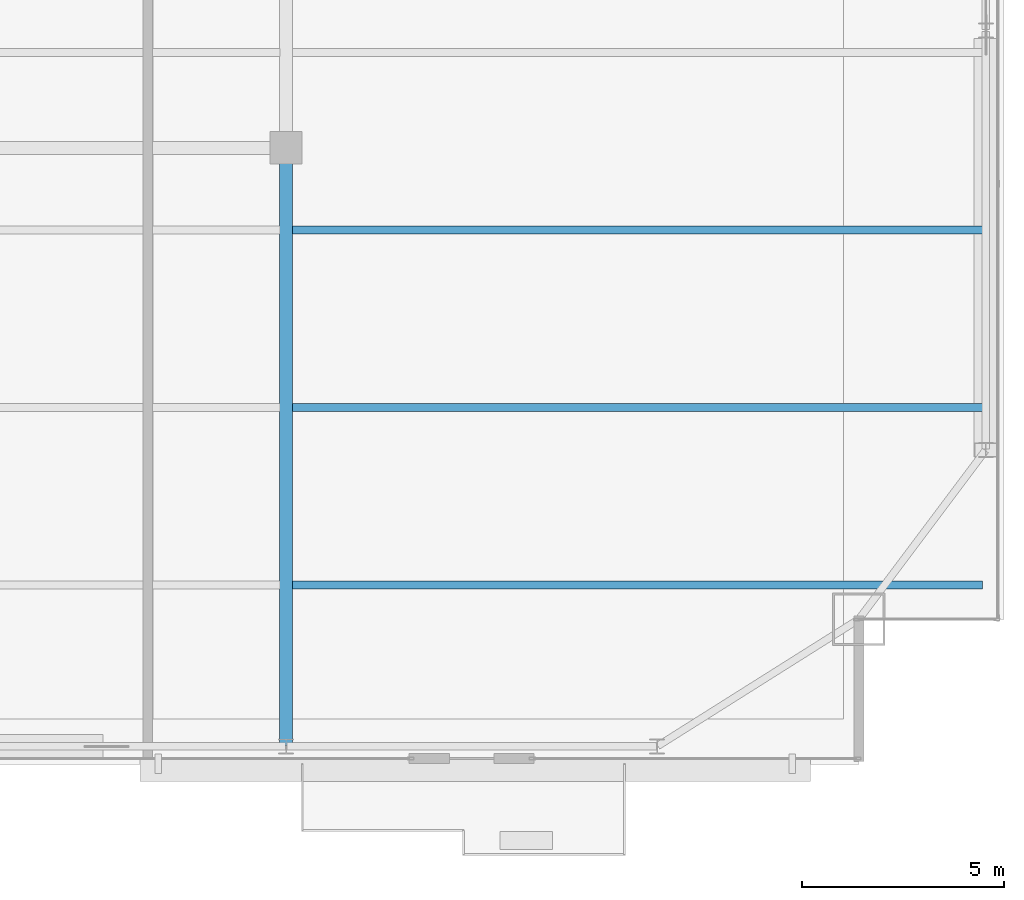
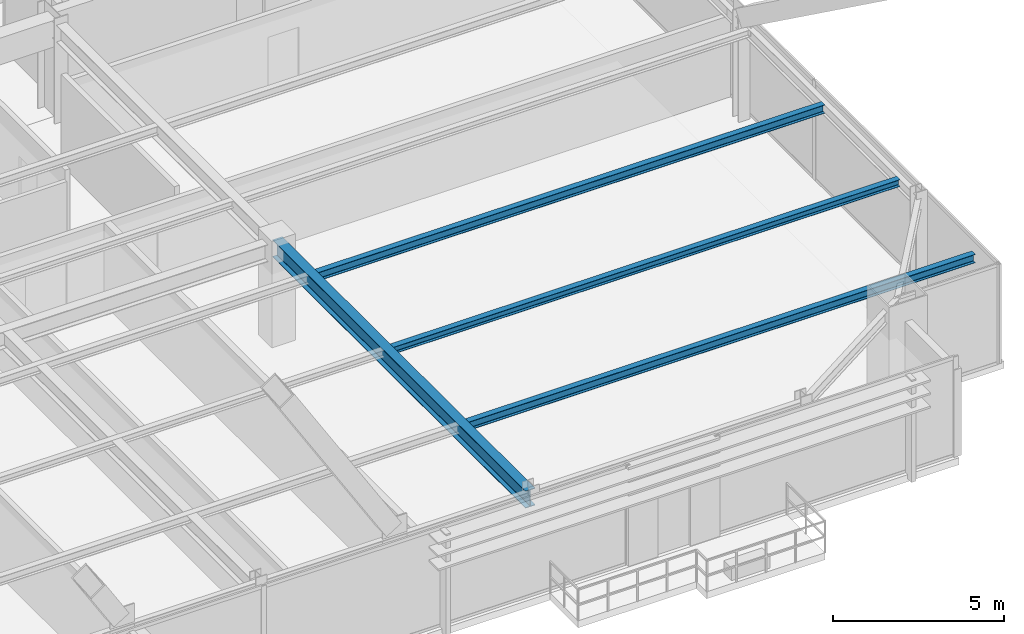
# One storey, part 15 of 32: 4 beams.
"""IFC4 building model written with IfcOpenShell, lengths in metres."""

from ifc_helpers import new_model, si_unit, direction, frame, origin, origin_2d, place, context, subcontext, project, spatial, i_section, extrude, source, transform, mapped, material, material_profile, profile_set, type_object, type_shapes, element, save


model = new_model("IFC4")

# Units and contexts
model_context = context("Model", 3, precision=1e-05, world=origin(), true_north=direction((0.0, 1.0)))
body_context = subcontext(model_context, "Body", "Model", "MODEL_VIEW")
ifc_project = project(units=[si_unit("LENGTHUNIT", "METRE"), si_unit("AREAUNIT", "SQUARE_METRE"), si_unit("VOLUMEUNIT", "CUBIC_METRE"), si_unit("PLANEANGLEUNIT", "RADIAN"), si_unit("MASSUNIT", "GRAM", prefix="KILO")], contexts=[model_context])

# Site, building, storey
site_placement = place(None, origin())
site = spatial("IfcSite", under=ifc_project, at=site_placement, CompositionType="ELEMENT")
building_placement = place(site_placement, origin())
building = spatial("IfcBuilding", under=site, at=building_placement, Name="Varnel Quay Broadcast Tower", CompositionType="ELEMENT")
storey_placement = place(building_placement, frame((0.0, 0.0, 164.800048828125)))
storey = spatial("IfcBuildingStorey", under=building, at=storey_placement, Name="L40", CompositionType="ELEMENT", Elevation=164.800048828125)

# Beams
ifc_material = material(Name="Structural Steel CSA G40.21 350W", Category="steel")
ifc_material_profile_1 = material_profile(ifc_material, i_section(OverallWidth=0.324951171875, OverallDepth=0.615966796875, WebThickness=0.013916015625, FlangeThickness=0.021484375, FilletRadius=0.01611328125, at=origin_2d()), Name="W610X174")
ifc_profile_set_1 = profile_set([ifc_material_profile_1], Name="Structural Steel CSA G40.21 350W")
beam_type_1 = type_object("IfcBeamType", Name="Girder_W610X174", PredefinedType="BEAM", material=ifc_profile_set_1)
shared_shape_1 = source(origin(), body_context, "Body", "SweptSolid", [
    extrude(i_section(OverallWidth=0.324951171875, OverallDepth=0.615966796875, WebThickness=0.013916015625, FlangeThickness=0.021484375, FilletRadius=0.01611328125, at=origin_2d()), origin(), (0.0, 0.0, 1.0), 14.800048828125),
])
type_shapes(beam_type_1, [shared_shape_1])
beam_1_placement = place(storey_placement, frame((43.199951171875, 7.669921875, 3.241943359375), z_axis=(0.0, 1.0, 0.0), x_axis=(-1.0, 0.0, 0.0)))
element("IfcBeam", 1, at=beam_1_placement, inside=storey, type_object=beam_type_1, Name="L40 Primary Girder TC-S4-IC-02", PredefinedType="BEAM", context=body_context, shape_type="MappedRepresentation", body=[
    mapped(shared_shape_1, transform((0.0, 0.0, 0.0), x_axis=(1.0, 0.0, 0.0), y_axis=(0.0, 1.0, 0.0), z_axis=(0.0, 0.0, 1.0), scale=1.0)),
])
ifc_material_profile_2 = material_profile(ifc_material, i_section(OverallWidth=0.202880859375, OverallDepth=0.302978515625, WebThickness=0.007568359375, FlangeThickness=0.01318359375, FilletRadius=0.011962890625, at=origin_2d()), Name="W310X60")
ifc_profile_set_2 = profile_set([ifc_material_profile_2], Name="Structural Steel CSA G40.21 350W")
beam_type_2 = type_object("IfcBeamType", Name="Beam_W310X60", PredefinedType="JOIST", material=ifc_profile_set_2)
shared_shape_2 = source(origin(), body_context, "Body", "SweptSolid", [
    extrude(i_section(OverallWidth=0.202880859375, OverallDepth=0.302978515625, WebThickness=0.007568359375, FlangeThickness=0.01318359375, FilletRadius=0.011962890625, at=origin_2d()), origin(), (0.0, 0.0, 1.0), 17.107177734375),
])
type_shapes(beam_type_2, [shared_shape_2])
for number, where, z_axis, x_axis, name in (
    (2, (43.357421875, 11.64990234375, 3.3984375), (1.0, 0.0, 0.0), (0.0, 1.0, 0.0), "L40 East Floor Joist 1"),
    (3, (43.357421875, 20.449951171875, 3.3984375), (1.0, 0.0, 0.0), (0.0, 1.0, 0.0), "L40 East Floor Joist 3"),
):
    element("IfcBeam", number, at=place(storey_placement, frame(where, z_axis=z_axis, x_axis=x_axis)), inside=storey, type_object=beam_type_2, Name=name, PredefinedType="JOIST", context=body_context, shape_type="MappedRepresentation", body=[
        mapped(shared_shape_2, transform((0.0, 0.0, 0.0), x_axis=(1.0, 0.0, 0.0), y_axis=(0.0, 1.0, 0.0), z_axis=(0.0, 0.0, 1.0), scale=1.0)),
    ])
ifc_material_profile_3 = material_profile(ifc_material, i_section(OverallWidth=0.201904296875, OverallDepth=0.2470703125, WebThickness=0.00732421875, FlangeThickness=0.010986328125, FilletRadius=0.010986328125, at=origin_2d()), Name="W250X49")
ifc_profile_set_3 = profile_set([ifc_material_profile_3], Name="Structural Steel CSA G40.21 350W")
beam_type_3 = type_object("IfcBeamType", Name="Beam_W250X49", PredefinedType="JOIST", material=ifc_profile_set_3)
shared_shape_3 = source(origin(), body_context, "Body", "SweptSolid", [
    extrude(i_section(OverallWidth=0.201904296875, OverallDepth=0.2470703125, WebThickness=0.00732421875, FlangeThickness=0.010986328125, FilletRadius=0.010986328125, at=origin_2d()), origin(), (0.0, 0.0, 1.0), 17.107177734375),
])
type_shapes(beam_type_3, [shared_shape_3])
beam_2_placement = place(storey_placement, frame((43.357421875, 16.050048828125, 3.426513671875), z_axis=(1.0, 0.0, 0.0), x_axis=(0.0, 1.0, 0.0)))
element("IfcBeam", 4, at=beam_2_placement, inside=storey, type_object=beam_type_3, Name="L40 East Floor Joist 2", PredefinedType="JOIST", context=body_context, shape_type="MappedRepresentation", body=[
    mapped(shared_shape_3, transform((0.0, 0.0, 0.0), x_axis=(1.0, 0.0, 0.0), y_axis=(0.0, 1.0, 0.0), z_axis=(0.0, 0.0, 1.0), scale=1.0)),
])

save(model, "model.ifc")
